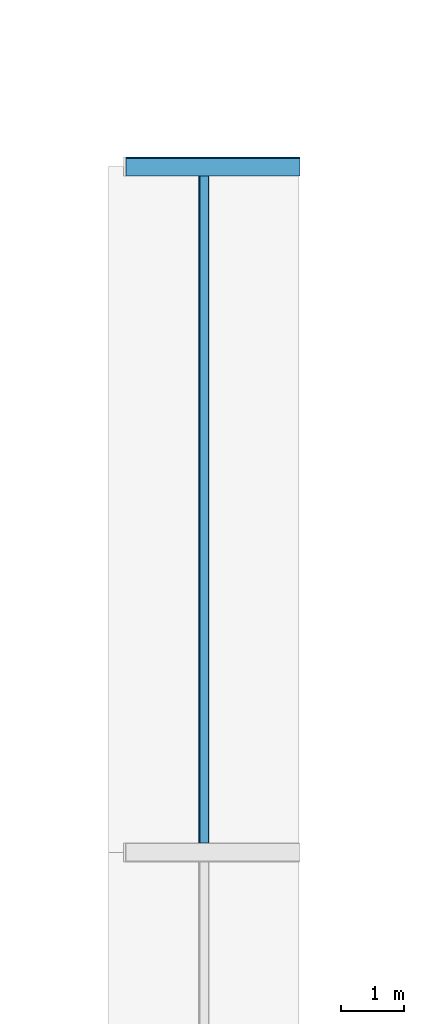
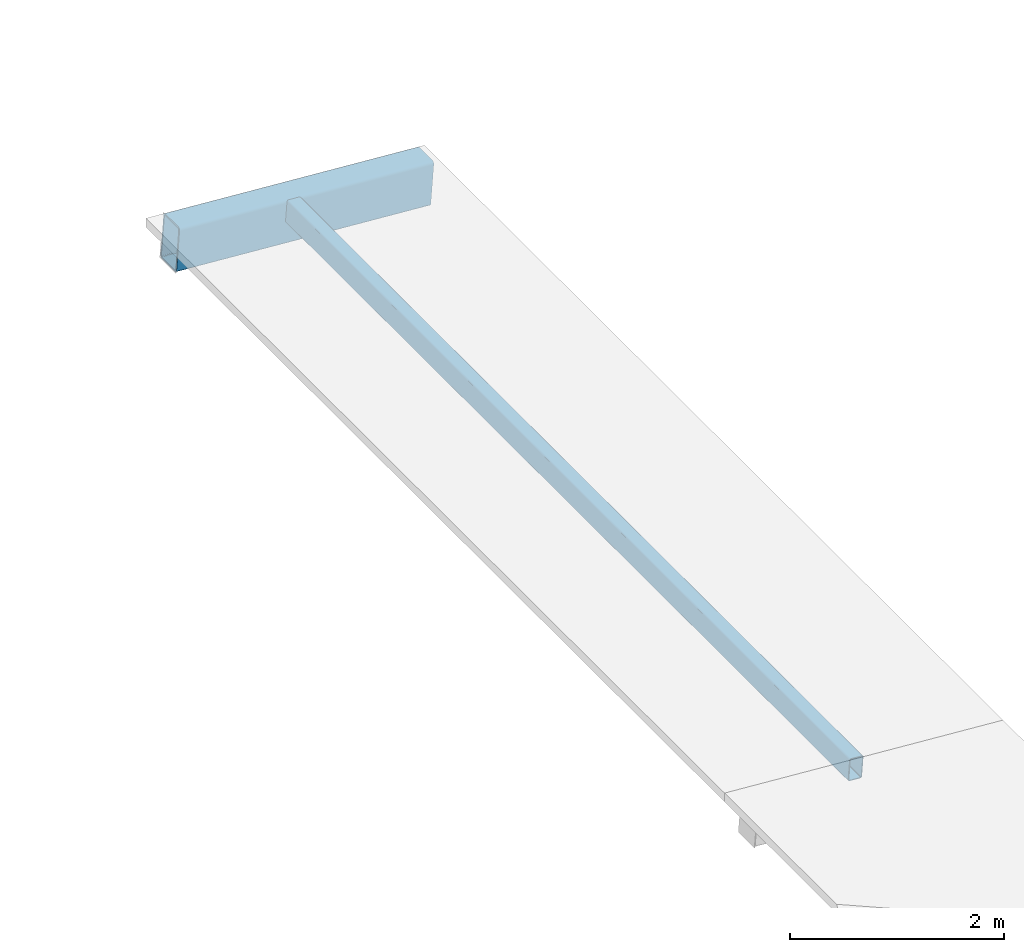
# One storey, part 21 of 56: 2 beams.
"""IFC4 building model written with IfcOpenShell, lengths in metres."""

from ifc_helpers import new_model, si_unit, direction, frame, origin, origin_2d, place, context, subcontext, project, spatial, hollow_rectangle, extrude, material, material_profile, profile_set, type_object, element, save


model = new_model("IFC4")

# Units and contexts
model_context = context("Model", 3, precision=1e-05, world=origin(), true_north=direction((0.0, 1.0)))
body_context = subcontext(model_context, "Body", "Model", "MODEL_VIEW")
ifc_project = project(units=[si_unit("LENGTHUNIT", "METRE"), si_unit("AREAUNIT", "SQUARE_METRE"), si_unit("VOLUMEUNIT", "CUBIC_METRE"), si_unit("PLANEANGLEUNIT", "RADIAN"), si_unit("MASSUNIT", "GRAM", prefix="KILO")], contexts=[model_context])

# Site, building, storey
site_placement = place(None, origin())
site = spatial("IfcSite", under=ifc_project, at=site_placement, CompositionType="ELEMENT")
building_placement = place(site_placement, origin())
building = spatial("IfcBuilding", under=site, at=building_placement, Name="Magnolia Steps Interchange", CompositionType="ELEMENT")
storey_placement = place(building_placement, frame((0.0, 0.0, 8.699951171875)))
storey = spatial("IfcBuildingStorey", under=building, at=storey_placement, Name="L02", CompositionType="ELEMENT", Elevation=8.699951171875)

# Beams
ifc_material_1 = material(Name="Steel Q355B", Category="steel")
ifc_material_profile_1 = material_profile(ifc_material_1, hollow_rectangle(XDim=0.300048828125, YDim=0.5, WallThickness=0.01611328125, InnerFilletRadius=0.01611328125, OuterFilletRadius=0.031982421875, at=origin_2d()), Name="RHS500x300x16")
ifc_profile_set_1 = profile_set([ifc_material_profile_1], Name="Steel Q355B")
beam_type_1 = type_object("IfcBeamType", Name="Roof beam RHS500x300x16", PredefinedType="BEAM", material=ifc_profile_set_1)
beam_1_placement = place(storey_placement, frame((147.659912109375, 74.800048828125, 0.130126953125), z_axis=(0.997354349123, 0.0, -0.072693206592), x_axis=(0.0, 1.0, 0.0)))
element("IfcBeam", 1, at=beam_1_placement, inside=storey, type_object=beam_type_1, Name="Roof beam", PredefinedType="BEAM", context=body_context, shape_type="SweptSolid", body=[
    extrude(hollow_rectangle(XDim=0.300048828125, YDim=0.5, WallThickness=0.01611328125, InnerFilletRadius=0.01611328125, OuterFilletRadius=0.031982421875, at=origin_2d()), origin(), (0.0, 0.0, 1.0), 2.747314453125),
])
ifc_material_2 = material(Name="Steel Q355B", Category="steel")
ifc_material_profile_2 = material_profile(ifc_material_2, hollow_rectangle(XDim=0.14990234375, YDim=0.25, WallThickness=0.008056640625, InnerFilletRadius=0.008056640625, OuterFilletRadius=0.01611328125, at=origin_2d()), Name="RHS250x150x8")
ifc_profile_set_2 = profile_set([ifc_material_profile_2], Name="Steel Q355B")
beam_type_2 = type_object("IfcBeamType", Name="Roof edge joist RHS250x150x8", PredefinedType="BEAM", material=ifc_profile_set_2)
beam_2_placement = place(storey_placement, frame((148.89990234375, 64.14990234375, 0.1650390625), z_axis=(0.0, 1.0, 0.0), x_axis=(-0.997352109794, 0.0, 0.072723923782)))
element("IfcBeam", 2, at=beam_2_placement, inside=storey, type_object=beam_type_2, Name="Roof edge joist", PredefinedType="BEAM", context=body_context, shape_type="SweptSolid", body=[
    extrude(hollow_rectangle(XDim=0.14990234375, YDim=0.25, WallThickness=0.008056640625, InnerFilletRadius=0.008056640625, OuterFilletRadius=0.01611328125, at=origin_2d()), origin(), (0.0, 0.0, 1.0), 10.5),
])

save(model, "model.ifc")
